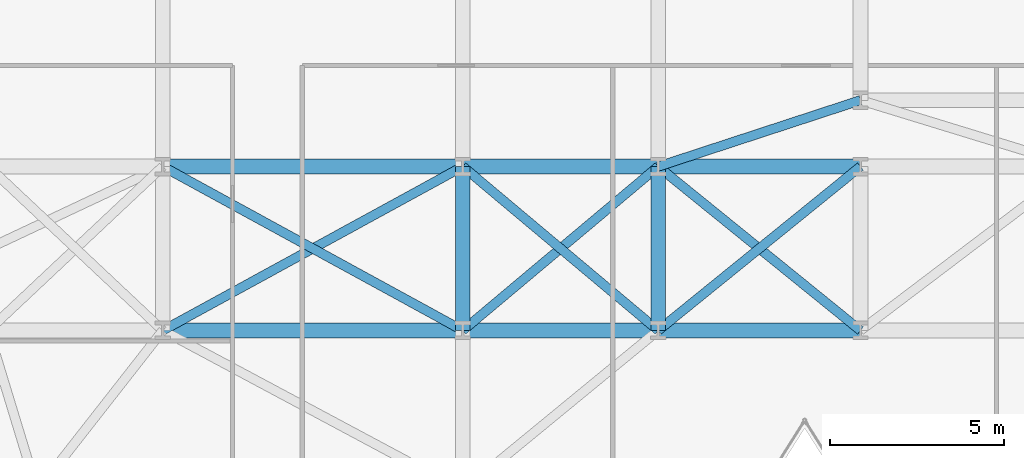
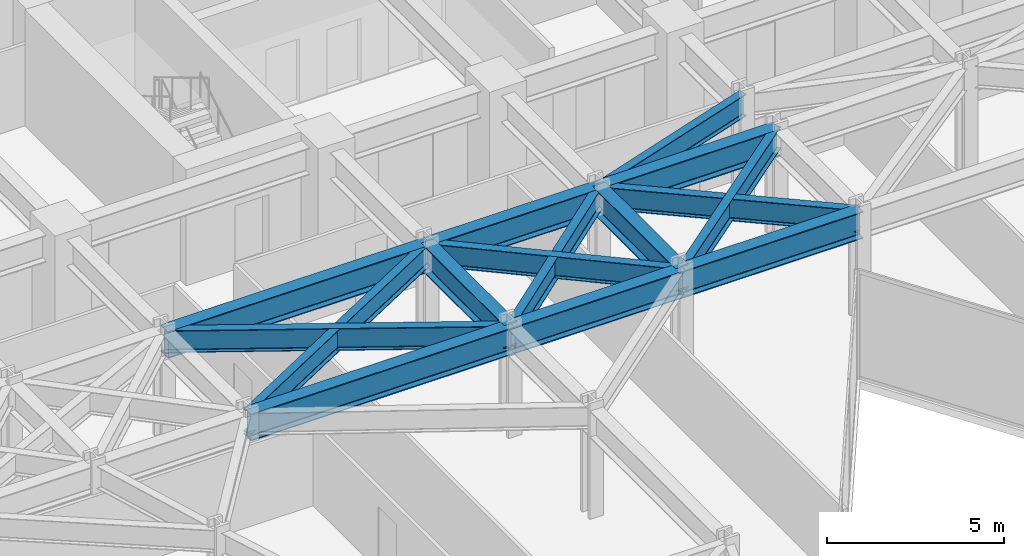
# One storey, part 11 of 25: 15 beams.
"""IFC4 building model written with IfcOpenShell, lengths in metres."""

import ifcopenshell
import ifcopenshell.guid

model = None  # the IFC model being written
_history = None  # IfcOwnerHistory: only IFC2X3 demands one
_inside = {}  # id of a spatial element -> (the spatial element, [elements in it])
_under = {}  # id of a project, library or spatial element -> (it, [spatial elements below it])
_declared = {}  # id of a project -> (the project, [libraries it declares])
_typed = {}  # id of a type object -> (the type object, [elements of that type])
_made_of = {}  # id of a material, layer set ... -> (it, [elements and type objects made of it])


def new_model(schema):
    """Start an empty IFC model of exactly this schema.

    Asked for "IFC4X3", IfcOpenShell would pick the latest addendum, in which some entities
    have other attributes; the version numbers below select the first issue.
    IFC2X3 requires an IfcOwnerHistory on every rooted entity: one is made here for all.
    """
    global model, _history
    if schema == "IFC4X3":
        model = ifcopenshell.file(schema_version=(4, 3, 0, 0))
    else:
        model = ifcopenshell.file(schema=schema)
    _inside.clear()
    _under.clear()
    _declared.clear()
    _typed.clear()
    _made_of.clear()
    _history = None
    if model.schema == "IFC2X3":
        org = make("IfcOrganization", Name="unknown")
        user = make(
            "IfcPersonAndOrganization",
            ThePerson=make("IfcPerson", FamilyName="unknown"),
            TheOrganization=org,
        )
        app = make(
            "IfcApplication",
            ApplicationDeveloper=org,
            Version="unknown",
            ApplicationFullName="unknown",
            ApplicationIdentifier="unknown",
        )
        _history = make(
            "IfcOwnerHistory",
            OwningUser=user,
            OwningApplication=app,
            ChangeAction="ADDED",
            CreationDate=0,
        )
    return model


def make(cls, **values):
    """One entity of the class cls with the attributes given. An attribute that is None is left unset."""
    return model.create_entity(
        cls, **{name: value for name, value in values.items() if value is not None}
    )


def rooted(cls, **values):
    """An entity with a GlobalId (a new one), such as an element, a storey or a relation."""
    return make(cls, GlobalId=ifcopenshell.guid.new(), OwnerHistory=_history, **values)


def si_unit(unit_type, name, prefix=None):
    """IfcSIUnit, for example si_unit("LENGTHUNIT", "METRE", prefix="MILLI")."""
    return make("IfcSIUnit", UnitType=unit_type, Prefix=prefix, Name=name)


def assignment(units):
    """IfcUnitAssignment: the units of a project."""
    return None if units is None else make("IfcUnitAssignment", Units=units)


def point(xyz):
    """IfcCartesianPoint."""
    return None if xyz is None else make("IfcCartesianPoint", Coordinates=xyz)


def direction(xyz):
    """IfcDirection."""
    return None if xyz is None else make("IfcDirection", DirectionRatios=xyz)


def frame(location, z_axis=None, x_axis=None):
    """IfcAxis2Placement3D, a coordinate frame: its origin and axes. An axis left out is left unset."""
    return make(
        "IfcAxis2Placement3D",
        Location=point(location),
        Axis=direction(z_axis),
        RefDirection=direction(x_axis),
    )


def frame_2d(location, x_axis=None):
    """IfcAxis2Placement2D, a coordinate frame in the plane: its origin and x axis."""
    return make(
        "IfcAxis2Placement2D", Location=point(location), RefDirection=direction(x_axis)
    )


def origin():
    """The frame at (0, 0, 0) with its axes left unset."""
    return frame((0.0, 0.0, 0.0))


def origin_2d():
    """The frame at (0, 0) in the plane with its x axis left unset."""
    return frame_2d((0.0, 0.0))


def place(relative_to, where):
    """IfcLocalPlacement: puts the frame where relative to a parent placement (None: the world)."""
    return make(
        "IfcLocalPlacement", PlacementRelTo=relative_to, RelativePlacement=where
    )


def context(
    kind, dimensions, precision=None, world=None, true_north=None, identifier=None
):
    """IfcGeometricRepresentationContext, for example the 3D "Model" context."""
    return make(
        "IfcGeometricRepresentationContext",
        ContextIdentifier=identifier,
        ContextType=kind,
        CoordinateSpaceDimension=dimensions,
        Precision=precision,
        WorldCoordinateSystem=world,
        TrueNorth=true_north,
    )


def subcontext(parent, identifier, kind, view, scale=None):
    """IfcGeometricRepresentationSubContext, for example "Body" below "Model"."""
    return make(
        "IfcGeometricRepresentationSubContext",
        ContextIdentifier=identifier,
        ContextType=kind,
        ParentContext=parent,
        TargetScale=scale,
        TargetView=view,
    )


def project(units=None, contexts=None):
    """IfcProject with its units and contexts."""
    return rooted(
        "IfcProject",
        Name="project",
        RepresentationContexts=contexts,
        UnitsInContext=assignment(units),
    )


def spatial(cls, under=None, at=None, **own):
    """A site, building, storey or space (cls), placed at a placement, below another one or the project."""
    s = rooted(cls, ObjectPlacement=at, **own)
    if under is not None:
        _under.setdefault(under.id(), (under, []))[1].append(s)
    return s


def profile(cls, at=None, kind="AREA", **sizes):
    """A parametric profile (cls). Its sizes go by their IFC names, for example OverallWidth=200.0."""
    return make(cls, ProfileType=kind, Position=at, **sizes)


def i_section(**sizes):
    """IfcIShapeProfileDef."""
    return profile("IfcIShapeProfileDef", **sizes)


def extrude(swept, where, along, depth):
    """IfcExtrudedAreaSolid: the profile swept, set in the frame where, extruded along a direction by depth."""
    return make(
        "IfcExtrudedAreaSolid",
        SweptArea=swept,
        Position=where,
        ExtrudedDirection=direction(along),
        Depth=depth,
    )


def shape(context_of_items, identifier, shape_type, items):
    """IfcShapeRepresentation: the items that make up one representation, for example the "Body"."""
    return make(
        "IfcShapeRepresentation",
        ContextOfItems=context_of_items,
        RepresentationIdentifier=identifier,
        RepresentationType=shape_type,
        Items=items,
    )


def material(Name=None, Category=None):
    """IfcMaterial."""
    return make("IfcMaterial", Name=Name, Category=Category)


def material_profile(
    of_material, cross_section, Name=None, Category=None, Priority=None
):
    """IfcMaterialProfile: a cross section and its material."""
    return make(
        "IfcMaterialProfile",
        Name=Name,
        Material=of_material,
        Profile=cross_section,
        Priority=Priority,
        Category=Category,
    )


def profile_set(profiles, Name=None, composite=None):
    """IfcMaterialProfileSet."""
    return make(
        "IfcMaterialProfileSet",
        Name=Name,
        MaterialProfiles=profiles,
        CompositeProfile=composite,
    )


def made_of(thing, what):
    """Note that an element or type object is made of a material, layer set ...; save() writes the relation."""
    if what is not None:
        _made_of.setdefault(what.id(), (what, []))[1].append(thing)
    return thing


def type_object(cls, material=None, **own):
    """A type object (cls), such as IfcWallType, which elements share."""
    return made_of(rooted(cls, **own), material)


def element(
    cls,
    number,
    at=None,
    inside=None,
    cuts=None,
    type_object=None,
    material=None,
    context=None,
    identifier="Body",
    shape_type=None,
    held_by="IfcProductDefinitionShape",
    body=None,
    shapes=None,
    **own,
):
    """One element of the class cls, such as IfcWall. Its Tag is "e" and its number.

    at: its placement. inside: the storey or other place that contains it. cuts: it is an
    opening in that element (IfcRelVoidsElement). A single representation is given by context,
    identifier, shape_type and body (its items); several are given by shapes. held_by: the class
    of the entity that holds the representations. save() writes the other relations.
    """
    e = rooted(cls, Tag="e%d" % number, ObjectPlacement=at, **own)
    if body is not None:
        shapes = [shape(context, identifier, shape_type, body)]
    if shapes is not None:
        e.Representation = make(held_by, Representations=shapes)
    if inside is not None:
        _inside.setdefault(inside.id(), (inside, []))[1].append(e)
    if cuts is not None:
        rooted(
            "IfcRelVoidsElement", RelatingBuildingElement=cuts, RelatedOpeningElement=e
        )
    if type_object is not None:
        _typed.setdefault(type_object.id(), (type_object, []))[1].append(e)
    return made_of(e, material)


def aggregate(whole, parts):
    """IfcRelAggregates: a whole, such as a stair, and the parts it consists of."""
    return rooted("IfcRelAggregates", RelatingObject=whole, RelatedObjects=parts)


def save(model, path):
    """Write the relations noted so far, then the file.

    IfcRelAggregates (storeys below a building ...), IfcRelContainedInSpatialStructure (elements
    in a storey), IfcRelDefinesByType, IfcRelAssociatesMaterial and IfcRelDeclares: one each for
    every whole, place, type object, material and project.
    """
    for whole, parts in _under.values():
        aggregate(whole, parts)
    for where, things in _inside.values():
        rooted(
            "IfcRelContainedInSpatialStructure",
            RelatedElements=things,
            RelatingStructure=where,
        )
    for kind, things in _typed.values():
        rooted("IfcRelDefinesByType", RelatedObjects=things, RelatingType=kind)
    for what, things in _made_of.values():
        rooted("IfcRelAssociatesMaterial", RelatedObjects=things, RelatingMaterial=what)
    for by, libraries in _declared.values():
        rooted("IfcRelDeclares", RelatingContext=by, RelatedDefinitions=libraries)
    model.write(path)


model = new_model("IFC4")

# Units and contexts
model_context = context("Model", 3, precision=1e-05, world=origin(), true_north=direction((0.0, 1.0)))
body_context = subcontext(model_context, "Body", "Model", "MODEL_VIEW")
ifc_project = project(units=[si_unit("LENGTHUNIT", "METRE"), si_unit("AREAUNIT", "SQUARE_METRE"), si_unit("VOLUMEUNIT", "CUBIC_METRE"), si_unit("PLANEANGLEUNIT", "RADIAN"), si_unit("MASSUNIT", "GRAM", prefix="KILO")], contexts=[model_context])

# Site, building, storey
site_placement = place(None, origin())
site = spatial("IfcSite", under=ifc_project, at=site_placement, CompositionType="ELEMENT")
building_placement = place(site_placement, origin())
building = spatial("IfcBuilding", under=site, at=building_placement, Name="Kravanh Interchange Tower", CompositionType="ELEMENT")
storey_placement = place(building_placement, frame((0.0, 0.0, 33.5)))
storey = spatial("IfcBuildingStorey", under=building, at=storey_placement, Name="L07", CompositionType="ELEMENT", Elevation=33.5)

# Beams
ifc_material_1 = material(Name="Structural Steel S355", Category="steel")
ifc_material_profile_1 = material_profile(ifc_material_1, i_section(OverallWidth=0.41796875, OverallDepth=0.927001953125, WebThickness=0.019287109375, FlangeThickness=0.031982421875, FilletRadius=0.028076171875, at=origin_2d()), Name="W36X231")
ifc_profile_set_1 = profile_set([ifc_material_profile_1], Name="Structural Steel S355")
beam_type_1 = type_object("IfcBeamType", Name="Floor Beam W36X231 Structural Steel S355", PredefinedType="BEAM", material=ifc_profile_set_1)
beam_1_placement = place(storey_placement, frame((18.60009765625, 26.800048828125, 3.276611328125), z_axis=(1.0, 0.0, 0.0), x_axis=(0.0, 1.0, 0.0)))
element("IfcBeam", 1, at=beam_1_placement, inside=storey, type_object=beam_type_1, Name="L07 Primary Floor Girder 76", PredefinedType="BEAM", context=body_context, shape_type="SweptSolid", body=[
    extrude(i_section(OverallWidth=0.41796875, OverallDepth=0.927001953125, WebThickness=0.019287109375, FlangeThickness=0.031982421875, FilletRadius=0.028076171875, at=origin_2d()), origin(), (0.0, 0.0, 1.0), 8.599853515625),
])
beam_2_placement = place(storey_placement, frame((27.199951171875, 26.800048828125, 3.276611328125), z_axis=(0.0, 1.0, 0.0), x_axis=(-1.0, 0.0, 0.0)))
element("IfcBeam", 2, at=beam_2_placement, inside=storey, type_object=beam_type_1, Name="L07 Primary Floor Girder 78", PredefinedType="BEAM", context=body_context, shape_type="SweptSolid", body=[
    extrude(i_section(OverallWidth=0.41796875, OverallDepth=0.927001953125, WebThickness=0.019287109375, FlangeThickness=0.031982421875, FilletRadius=0.028076171875, at=origin_2d()), origin(), (0.0, 0.0, 1.0), 4.699951171875),
])
beam_3_placement = place(storey_placement, frame((27.199951171875, 26.800048828125, 3.276611328125), z_axis=(1.0, 0.0, 0.0), x_axis=(0.0, 1.0, 0.0)))
element("IfcBeam", 3, at=beam_3_placement, inside=storey, type_object=beam_type_1, Name="L07 Primary Floor Girder 79", PredefinedType="BEAM", context=body_context, shape_type="SweptSolid", body=[
    extrude(i_section(OverallWidth=0.41796875, OverallDepth=0.927001953125, WebThickness=0.019287109375, FlangeThickness=0.031982421875, FilletRadius=0.028076171875, at=origin_2d()), origin(), (0.0, 0.0, 1.0), 5.60009765625),
])
beam_4_placement = place(storey_placement, frame((32.800048828125, 26.800048828125, 3.276611328125), z_axis=(0.0, 1.0, 0.0), x_axis=(-1.0, 0.0, 0.0)))
element("IfcBeam", 4, at=beam_4_placement, inside=storey, type_object=beam_type_1, Name="L07 Primary Floor Girder 82", PredefinedType="BEAM", context=body_context, shape_type="SweptSolid", body=[
    extrude(i_section(OverallWidth=0.41796875, OverallDepth=0.927001953125, WebThickness=0.019287109375, FlangeThickness=0.031982421875, FilletRadius=0.028076171875, at=origin_2d()), origin(), (0.0, 0.0, 1.0), 4.699951171875),
])
beam_5_placement = place(storey_placement, frame((32.800048828125, 26.800048828125, 3.276611328125), z_axis=(1.0, 0.0, 0.0), x_axis=(0.0, 1.0, 0.0)))
element("IfcBeam", 5, at=beam_5_placement, inside=storey, type_object=beam_type_1, Name="L07 Primary Floor Girder 83", PredefinedType="BEAM", context=body_context, shape_type="SweptSolid", body=[
    extrude(i_section(OverallWidth=0.41796875, OverallDepth=0.927001953125, WebThickness=0.019287109375, FlangeThickness=0.031982421875, FilletRadius=0.028076171875, at=origin_2d()), origin(), (0.0, 0.0, 1.0), 5.800048828125),
])
beam_6_placement = place(storey_placement, frame((18.60009765625, 31.5, 3.276611328125), z_axis=(1.0, 0.0, 0.0), x_axis=(0.0, 1.0, 0.0)))
element("IfcBeam", 6, at=beam_6_placement, inside=storey, type_object=beam_type_1, Name="L07 Primary Floor Girder 106", PredefinedType="BEAM", context=body_context, shape_type="SweptSolid", body=[
    extrude(i_section(OverallWidth=0.41796875, OverallDepth=0.927001953125, WebThickness=0.019287109375, FlangeThickness=0.031982421875, FilletRadius=0.028076171875, at=origin_2d()), origin(), (0.0, 0.0, 1.0), 8.599853515625),
])
beam_7_placement = place(storey_placement, frame((27.199951171875, 31.5, 3.276611328125), z_axis=(1.0, 0.0, 0.0), x_axis=(0.0, 1.0, 0.0)))
element("IfcBeam", 7, at=beam_7_placement, inside=storey, type_object=beam_type_1, Name="L07 Primary Floor Girder 107", PredefinedType="BEAM", context=body_context, shape_type="SweptSolid", body=[
    extrude(i_section(OverallWidth=0.41796875, OverallDepth=0.927001953125, WebThickness=0.019287109375, FlangeThickness=0.031982421875, FilletRadius=0.028076171875, at=origin_2d()), origin(), (0.0, 0.0, 1.0), 5.60009765625),
])
beam_8_placement = place(storey_placement, frame((32.800048828125, 31.5, 3.276611328125), z_axis=(1.0, 0.0, 0.0), x_axis=(0.0, 1.0, 0.0)))
element("IfcBeam", 8, at=beam_8_placement, inside=storey, type_object=beam_type_1, Name="L07 Primary Floor Girder 109", PredefinedType="BEAM", context=body_context, shape_type="SweptSolid", body=[
    extrude(i_section(OverallWidth=0.41796875, OverallDepth=0.927001953125, WebThickness=0.019287109375, FlangeThickness=0.031982421875, FilletRadius=0.028076171875, at=origin_2d()), origin(), (0.0, 0.0, 1.0), 5.800048828125),
])
ifc_material_2 = material(Name="Structural Steel S355", Category="steel")
ifc_material_profile_2 = material_profile(ifc_material_2, i_section(OverallWidth=0.26708984375, OverallDepth=0.761962890625, WebThickness=0.014404296875, FlangeThickness=0.021484375, FilletRadius=0.02490234375, at=origin_2d()), Name="W30X116")
ifc_profile_set_2 = profile_set([ifc_material_profile_2], Name="Structural Steel S355")
beam_type_2 = type_object("IfcBeamType", Name="Floor Spandrel W30X116 Structural Steel S355", PredefinedType="SPANDREL", material=ifc_profile_set_2)
beam_9_placement = place(storey_placement, frame((18.60009765625, 26.800048828125, 3.35888671875), z_axis=(0.877503996342, 0.479569323877, 0.0), x_axis=(-0.479569323877, 0.877503996342, 0.0)))
element("IfcBeam", 9, at=beam_9_placement, inside=storey, type_object=beam_type_2, Name="L07 Perimeter Spandrel 77", PredefinedType="SPANDREL", context=body_context, shape_type="SweptSolid", body=[
    extrude(i_section(OverallWidth=0.26708984375, OverallDepth=0.761962890625, WebThickness=0.014404296875, FlangeThickness=0.021484375, FilletRadius=0.02490234375, at=origin_2d()), origin(), (0.0, 0.0, 1.0), 9.80029296875),
])
beam_10_placement = place(storey_placement, frame((27.199951171875, 26.800048828125, 3.35888671875), z_axis=(0.765983062929, 0.642860752657, 0.0), x_axis=(-0.642860752657, 0.765983062929, 0.0)))
element("IfcBeam", 10, at=beam_10_placement, inside=storey, type_object=beam_type_2, Name="L07 Perimeter Spandrel 80", PredefinedType="SPANDREL", context=body_context, shape_type="SweptSolid", body=[
    extrude(i_section(OverallWidth=0.26708984375, OverallDepth=0.761962890625, WebThickness=0.014404296875, FlangeThickness=0.021484375, FilletRadius=0.02490234375, at=origin_2d()), origin(), (0.0, 0.0, 1.0), 7.31103515625),
])
beam_11_placement = place(storey_placement, frame((27.199951171875, 26.800048828125, 3.35888671875), z_axis=(-0.877503996342, 0.479569323877, 0.0), x_axis=(-0.479569323877, -0.877503996342, 0.0)))
element("IfcBeam", 11, at=beam_11_placement, inside=storey, type_object=beam_type_2, Name="L07 Perimeter Spandrel 81", PredefinedType="SPANDREL", context=body_context, shape_type="SweptSolid", body=[
    extrude(i_section(OverallWidth=0.26708984375, OverallDepth=0.761962890625, WebThickness=0.014404296875, FlangeThickness=0.021484375, FilletRadius=0.02490234375, at=origin_2d()), origin(), (0.0, 0.0, 1.0), 9.80029296875),
])
beam_12_placement = place(storey_placement, frame((32.800048828125, 26.800048828125, 3.35888671875), z_axis=(-0.765983062929, 0.642860752657, 0.0), x_axis=(-0.642860752657, -0.765983062929, 0.0)))
element("IfcBeam", 12, at=beam_12_placement, inside=storey, type_object=beam_type_2, Name="L07 Perimeter Spandrel 84", PredefinedType="SPANDREL", context=body_context, shape_type="SweptSolid", body=[
    extrude(i_section(OverallWidth=0.26708984375, OverallDepth=0.761962890625, WebThickness=0.014404296875, FlangeThickness=0.021484375, FilletRadius=0.02490234375, at=origin_2d()), origin(), (0.0, 0.0, 1.0), 7.31103515625),
])
for number, where, z_axis, x_axis, name in (
    (13, (32.800048828125, 26.800048828125, 3.35888671875), (0.776938619557, 0.629576350764, 0.0), (-0.629576350764, 0.776938619557, 0.0), "L07 Perimeter Spandrel 85"),
    (14, (38.60009765625, 26.800048828125, 3.35888671875), (-0.776938619557, 0.629576350764, 0.0), (-0.629576350764, -0.776938619557, 0.0), "L07 Perimeter Spandrel 87"),
):
    element("IfcBeam", number, at=place(storey_placement, frame(where, z_axis=z_axis, x_axis=x_axis)), inside=storey, type_object=beam_type_2, Name=name, PredefinedType="SPANDREL", context=body_context, shape_type="SweptSolid", body=[
        extrude(i_section(OverallWidth=0.26708984375, OverallDepth=0.761962890625, WebThickness=0.014404296875, FlangeThickness=0.021484375, FilletRadius=0.02490234375, at=origin_2d()), origin(), (0.0, 0.0, 1.0), 7.46533203125),
    ])
beam_13_placement = place(storey_placement, frame((32.800048828125, 31.5, 3.35888671875), z_axis=(0.950314536578, 0.31129131303, 0.0), x_axis=(-0.31129131303, 0.950314536578, 0.0)))
element("IfcBeam", 15, at=beam_13_placement, inside=storey, type_object=beam_type_2, Name="L07 Perimeter Spandrel 110", PredefinedType="SPANDREL", context=body_context, shape_type="SweptSolid", body=[
    extrude(i_section(OverallWidth=0.26708984375, OverallDepth=0.761962890625, WebThickness=0.014404296875, FlangeThickness=0.021484375, FilletRadius=0.02490234375, at=origin_2d()), origin(), (0.0, 0.0, 1.0), 6.103271484375),
])

save(model, "model.ifc")
